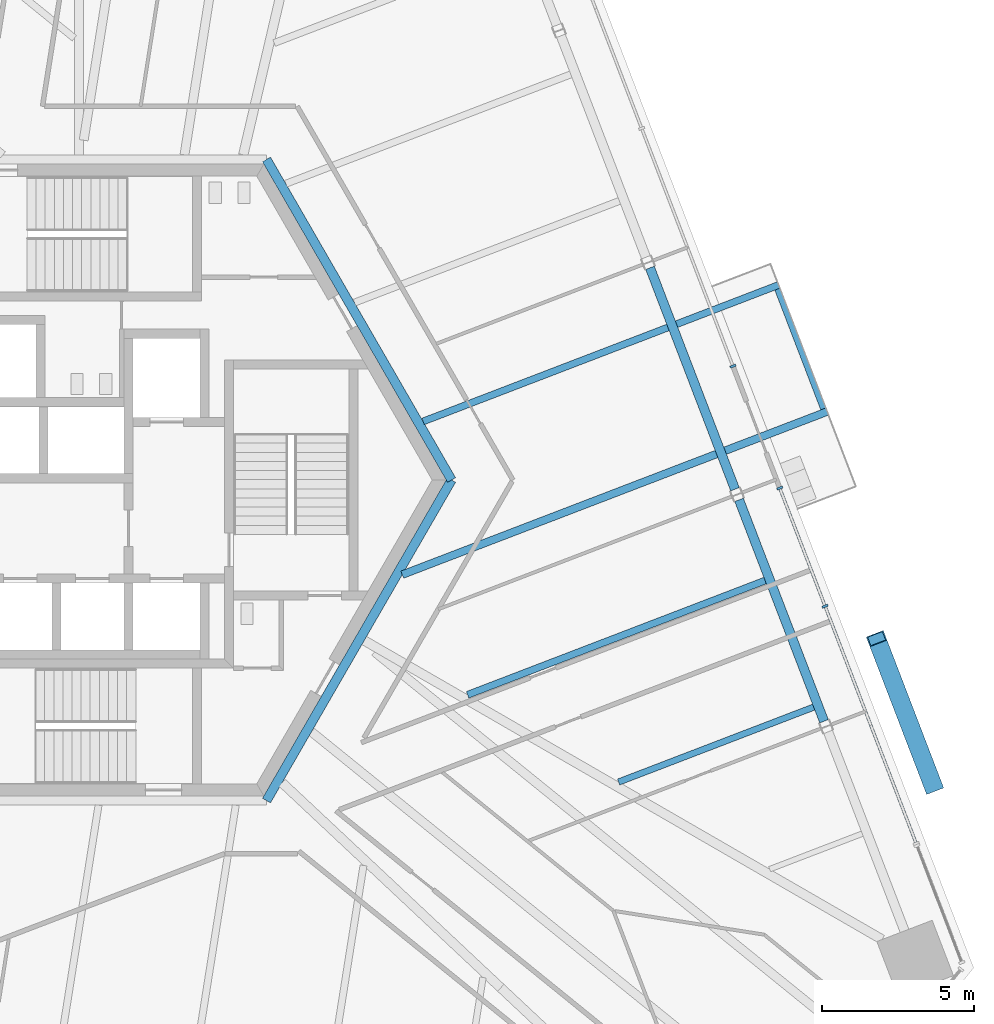
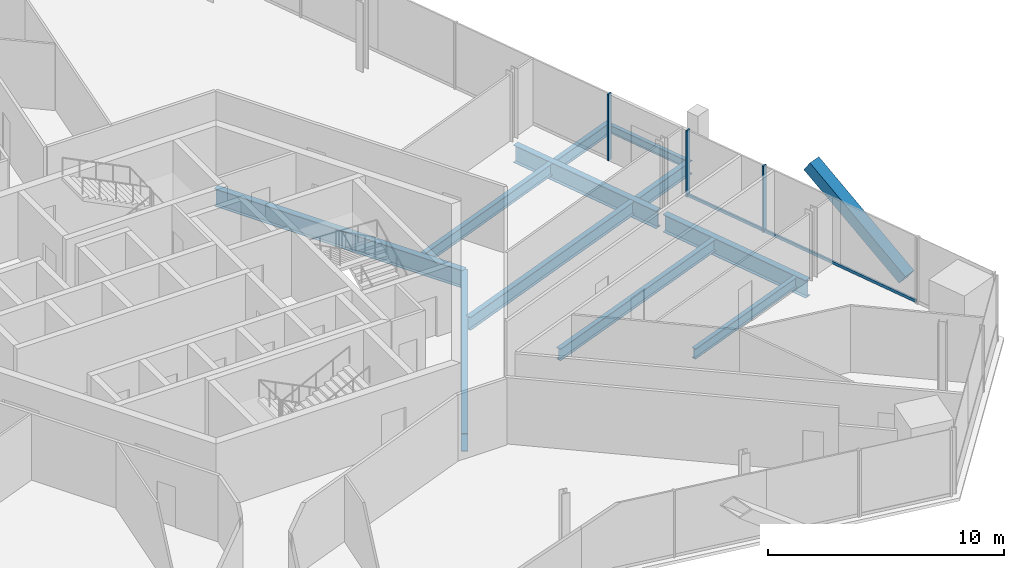
# One storey, part 7 of 19: 11 beams, 6 members, 2 elements without a shape of their own.
"""IFC4 building model written with IfcOpenShell, lengths in metres."""

from ifc_helpers import new_model, si_unit, direction, frame, origin, origin_2d, place, context, subcontext, project, spatial, rectangle, hollow_rectangle, i_section, extrude, source, transform, mapped, material, material_profile, profile_set, type_object, element, aggregate, save


model = new_model("IFC4")

# Units and contexts
model_context = context("Model", 3, precision=1e-05, world=origin(), true_north=direction((0.0, 1.0)))
body_context = subcontext(model_context, "Body", "Model", "MODEL_VIEW")
ifc_project = project(units=[si_unit("LENGTHUNIT", "METRE"), si_unit("AREAUNIT", "SQUARE_METRE"), si_unit("VOLUMEUNIT", "CUBIC_METRE"), si_unit("PLANEANGLEUNIT", "RADIAN"), si_unit("MASSUNIT", "GRAM", prefix="KILO")], contexts=[model_context])

# Site, building, storey
site_placement = place(None, origin())
site = spatial("IfcSite", under=ifc_project, at=site_placement, CompositionType="ELEMENT")
building_placement = place(site_placement, origin())
building = spatial("IfcBuilding", under=site, at=building_placement, Name="Triune Harvest Tower", CompositionType="ELEMENT")
storey_placement = place(building_placement, frame((0.0, 0.0, 142.5)))
storey = spatial("IfcBuildingStorey", under=building, at=storey_placement, Name="L36", CompositionType="ELEMENT", Elevation=142.5)

# Curtain wall, member
ifc_material_1 = material(Name="Aluminium bronze anodised", Category="aluminium")
curtain_wall_type = type_object("IfcCurtainWallType", Name="CW-10 Balcony window wall with insulated spandrel infill", PredefinedType="NOTDEFINED", material=ifc_material_1)
curtain_wall_1_placement = place(storey_placement, origin())
curtain_wall_1 = element("IfcCurtainWall", 1, at=curtain_wall_1_placement, inside=storey, type_object=curtain_wall_type, Name="CW-10 B4-F1 L36 run 1001")
ifc_material_2 = material(Name="Aluminium bronze anodised", Category="aluminium")
ifc_material_profile_1 = material_profile(ifc_material_2, rectangle(XDim=0.090087890625, YDim=0.14990234375, at=origin_2d()), Name="TR-6 transom 90 x 150")
ifc_profile_set_1 = profile_set([ifc_material_profile_1], Name="Aluminium bronze anodised")
member_type_1 = type_object("IfcMemberType", Name="TR-6 transom 90 x 150", PredefinedType="USERDEFINED", material=ifc_profile_set_1)
member_1_placement = place(storey_placement, frame((24.44921875, -4.114990234375, 0.074951171875), z_axis=(-0.358354441262, 0.933585611729, 0.0), x_axis=(-0.933585611729, -0.358354441262, 0.0)))
member_1 = element("IfcMember", 2, at=member_1_placement, type_object=member_type_1, Name="CW-10 transom B4-F1 1001.2", ObjectType="TRANSOM", PredefinedType="USERDEFINED", context=body_context, shape_type="SweptSolid", body=[
    extrude(rectangle(XDim=0.090087890625, YDim=0.14990234375, at=origin_2d()), origin(), (0.0, 0.0, 1.0), 4.08642578125),
])

# Beams
ifc_material_3 = material(Name="Steel ASTM A992 Gr 50", Category="steel")
ifc_material_profile_2 = material_profile(ifc_material_3, i_section(OverallWidth=0.3046875, OverallDepth=0.914306640625, WebThickness=0.0166015625, FlangeThickness=0.02587890625, at=origin_2d()), Name="W36x160")
ifc_profile_set_2 = profile_set([ifc_material_profile_2], Name="Steel ASTM A992 Gr 50")
beam_type_1 = type_object("IfcBeamType", Name="CG-1 Core ring girder W36x160", PredefinedType="BEAM", material=ifc_profile_set_2)
shared_shape_1 = source(origin(), body_context, "Body", "SweptSolid", [
    extrude(i_section(OverallWidth=0.3046875, OverallDepth=0.914306640625, WebThickness=0.0166015625, FlangeThickness=0.02587890625, at=origin_2d()), origin(), (0.0, 0.0, 1.0), 12.176025390625),
])
for number, where, z_axis, x_axis, name in (
    (3, (12.176025390625, 0.0, -0.6171875), (-0.5000099932, 0.866019634131, 0.0), (-0.866019634131, -0.5000099932, 0.0), "beam/L36/CG1"),
    (4, (6.087890625, -10.544677734375, -0.6171875), (0.5000099932, 0.866019634131, 0.0), (-0.866019634131, 0.5000099932, 0.0), "beam/L36/CG6"),
):
    element("IfcBeam", number, at=place(storey_placement, frame(where, z_axis=z_axis, x_axis=x_axis)), inside=storey, type_object=beam_type_1, Name=name, PredefinedType="BEAM", context=body_context, shape_type="MappedRepresentation", body=[
        mapped(shared_shape_1, transform((0.0, 0.0, 0.0), scale=1.0)),
    ])
ifc_material_4 = material(Name="Steel ASTM A992 Gr 50", Category="steel")
ifc_material_profile_3 = material_profile(ifc_material_4, i_section(OverallWidth=0.3046875, OverallDepth=0.914306640625, WebThickness=0.0166015625, FlangeThickness=0.02587890625, at=origin_2d()), Name="W36x160")
ifc_profile_set_3 = profile_set([ifc_material_profile_3], Name="Steel ASTM A992 Gr 50")
beam_type_2 = type_object("IfcBeamType", Name="SB-1 Spandrel beam W36x160", PredefinedType="SPANDREL", material=ifc_profile_set_3)
shared_shape_2 = source(origin(), body_context, "Body", "SweptSolid", [
    extrude(i_section(OverallWidth=0.3046875, OverallDepth=0.914306640625, WebThickness=0.0166015625, FlangeThickness=0.02587890625, at=origin_2d()), origin(), (0.0, 0.0, 1.0), 7.8017578125),
])
for number, where, z_axis, x_axis, name in (
    (5, (24.428466796875, -7.93603515625, -0.6171875), (-0.358372974677, 0.933578497514, 0.0), (-0.933578497514, -0.358372974677, 0.0), "beam/L36/SB2"),
    (6, (21.498779296875, -0.303955078125, -0.6171875), (-0.358372974677, 0.933578497514, 0.0), (-0.933578497514, -0.358372974677, 0.0), "beam/L36/SB3"),
):
    element("IfcBeam", number, at=place(storey_placement, frame(where, z_axis=z_axis, x_axis=x_axis)), inside=storey, type_object=beam_type_2, Name=name, PredefinedType="SPANDREL", context=body_context, shape_type="MappedRepresentation", body=[
        mapped(shared_shape_2, transform((0.0, 0.0, 0.0), scale=1.0)),
    ])
ifc_material_5 = material(Name="Steel ASTM A992 Gr 50", Category="steel")
ifc_material_profile_4 = material_profile(ifc_material_5, i_section(OverallWidth=0.2099609375, OverallDepth=0.535888671875, WebThickness=0.010986328125, FlangeThickness=0.017333984375, at=origin_2d()), Name="W21x68")
ifc_profile_set_4 = profile_set([ifc_material_profile_4], Name="Steel ASTM A992 Gr 50")
beam_type_3 = type_object("IfcBeamType", Name="JT-2 Floor joist W21x68", PredefinedType="JOIST", material=ifc_profile_set_4)
shared_shape_3 = source(origin(), body_context, "Body", "SweptSolid", [
    extrude(i_section(OverallWidth=0.2099609375, OverallDepth=0.535888671875, WebThickness=0.010986328125, FlangeThickness=0.017333984375, at=origin_2d()), origin(), (0.0, 0.0, 1.0), 6.871826171875),
])
beam_1_placement = place(storey_placement, frame((24.086669921875, -7.47119140625, -0.427978515625), z_axis=(-0.933577992689, -0.358374289769, 0.0), x_axis=(0.358374289769, -0.933577992689, 0.0)))
element("IfcBeam", 7, at=beam_1_placement, inside=storey, type_object=beam_type_3, Name="beam/L36/JT2", PredefinedType="JOIST", context=body_context, shape_type="MappedRepresentation", body=[
    mapped(shared_shape_3, transform((0.0, 0.0, 0.0), scale=1.0)),
])
ifc_material_6 = material(Name="Steel ASTM A992 Gr 50", Category="steel")
ifc_material_profile_5 = material_profile(ifc_material_6, i_section(OverallWidth=0.22900390625, OverallDepth=0.612060546875, WebThickness=0.011962890625, FlangeThickness=0.01953125, at=origin_2d()), Name="W24x84")
ifc_profile_set_5 = profile_set([ifc_material_profile_5], Name="Steel ASTM A992 Gr 50")
beam_type_4 = type_object("IfcBeamType", Name="JT-3 Floor joist W24x84", PredefinedType="JOIST", material=ifc_profile_set_5)
shared_shape_4 = source(origin(), body_context, "Body", "SweptSolid", [
    extrude(i_section(OverallWidth=0.22900390625, OverallDepth=0.612060546875, WebThickness=0.011962890625, FlangeThickness=0.01953125, at=origin_2d()), origin(), (0.0, 0.0, 1.0), 10.482666015625),
])
beam_2_placement = place(storey_placement, frame((22.48876953125, -3.30810546875, -0.466064453125), z_axis=(-0.933574113636, -0.358384394677, 0.0), x_axis=(0.358384394677, -0.933574113636, 0.0)))
element("IfcBeam", 8, at=beam_2_placement, inside=storey, type_object=beam_type_4, Name="beam/L36/JT3", PredefinedType="JOIST", context=body_context, shape_type="MappedRepresentation", body=[
    mapped(shared_shape_4, transform((0.0, 0.0, 0.0), scale=1.0)),
])
ifc_material_7 = material(Name="Steel ASTM A992 Gr 50", Category="steel")
ifc_material_profile_6 = material_profile(ifc_material_7, i_section(OverallWidth=0.253662109375, OverallDepth=0.683349609375, WebThickness=0.012451171875, FlangeThickness=0.01904296875, at=origin_2d()), Name="W27x94")
ifc_profile_set_6 = profile_set([ifc_material_profile_6], Name="Steel ASTM A992 Gr 50")
beam_type_5 = type_object("IfcBeamType", Name="JT-4 Floor joist W27x94", PredefinedType="JOIST", material=ifc_profile_set_6)
shared_shape_5 = source(origin(), body_context, "Body", "SweptSolid", [
    extrude(i_section(OverallWidth=0.253662109375, OverallDepth=0.683349609375, WebThickness=0.012451171875, FlangeThickness=0.01904296875, at=origin_2d()), origin(), (0.0, 0.0, 1.0), 11.071533203125),
])
beam_3_placement = place(storey_placement, frame((20.890869140625, 0.854736328125, -0.501708984375), z_axis=(-0.933585234032, -0.358355425237, 0.0), x_axis=(0.358355425237, -0.933585234032, 0.0)))
element("IfcBeam", 9, at=beam_3_placement, inside=storey, type_object=beam_type_5, Name="beam/L36/JT4", PredefinedType="JOIST", context=body_context, shape_type="MappedRepresentation", body=[
    mapped(shared_shape_5, transform((0.0, 0.0, 0.0), scale=1.0)),
])
shared_shape_6 = source(origin(), body_context, "Body", "SweptSolid", [
    extrude(i_section(OverallWidth=0.22900390625, OverallDepth=0.612060546875, WebThickness=0.011962890625, FlangeThickness=0.01953125, at=origin_2d()), origin(), (0.0, 0.0, 1.0), 8.625732421875),
])
beam_4_placement = place(storey_placement, frame((19.292724609375, 5.017578125, -0.466064453125), z_axis=(-0.933587577512, -0.35834931996, 0.0), x_axis=(0.35834931996, -0.933587577512, 0.0)))
element("IfcBeam", 10, at=beam_4_placement, inside=storey, type_object=beam_type_4, Name="beam/L36/JT5", PredefinedType="JOIST", context=body_context, shape_type="MappedRepresentation", body=[
    mapped(shared_shape_6, transform((0.0, 0.0, 0.0), scale=1.0)),
])

# Member
ifc_material_8 = material(Name="Steel ASTM A572 Gr 50", Category="steel")
ifc_material_profile_7 = material_profile(ifc_material_8, hollow_rectangle(XDim=0.60009765625, YDim=0.60009765625, WallThickness=0.0400390625, at=origin_2d()), Name="Box 600x600x40")
ifc_profile_set_7 = profile_set([ifc_material_profile_7], Name="Steel ASTM A572 Gr 50")
member_type_2 = type_object("IfcMemberType", Name="BR-2 Brace Box 600x600x40", PredefinedType="BRACE", material=ifc_profile_set_7)
shared_shape_7 = source(origin(), body_context, "Body", "SweptSolid", [
    extrude(hollow_rectangle(XDim=0.60009765625, YDim=0.60009765625, WallThickness=0.0400390625, at=origin_2d()), origin(), (0.0, 0.0, 1.0), 6.3291015625),
])
member_2_placement = place(storey_placement, frame((28.02294921875, -10.076416015625, 0.0), z_axis=(-0.294740818173, 0.767845926784, 0.568806190915), x_axis=(-0.933583525139, -0.358359877202, 0.0)))
element("IfcMember", 11, at=member_2_placement, inside=storey, type_object=member_type_2, Name="brace/B4-F1/d1/2", PredefinedType="BRACE", context=body_context, shape_type="MappedRepresentation", body=[
    mapped(shared_shape_7, transform((0.0, 0.0, 0.0), scale=1.0)),
])

ifc_material_9 = material(Name="Aluminium bronze anodised", Category="aluminium")
ifc_material_profile_8 = material_profile(ifc_material_9, rectangle(XDim=0.199951171875, YDim=0.074951171875, at=origin_2d()), Name="MU-6 mullion 75 x 200")
ifc_profile_set_8 = profile_set([ifc_material_profile_8], Name="Aluminium bronze anodised")
member_type_3 = type_object("IfcMemberType", Name="MU-6 mullion 75 x 200", PredefinedType="MULLION", material=ifc_profile_set_8)
shared_shape_8 = source(origin(), body_context, "Body", "SweptSolid", [
    extrude(rectangle(XDim=0.199951171875, YDim=0.074951171875, at=origin_2d()), origin(), (0.0, 0.0, 1.0), 3.43994140625),
])
member_3_placement = place(storey_placement, frame((24.462646484375, -4.14990234375, 0.0), z_axis=(0.0, 0.0, 1.0), x_axis=(-0.933579352129, -0.358370748357, 0.0)))
member_3 = element("IfcMember", 12, at=member_3_placement, type_object=member_type_3, Name="CW-10 mullion B4-F1 1001.3", PredefinedType="MULLION", context=body_context, shape_type="MappedRepresentation", body=[
    mapped(shared_shape_8, transform((0.0, 0.0, 0.0), scale=1.0)),
])

member_4_placement = place(storey_placement, frame((22.971435546875, -0.26513671875, 0.0), z_axis=(0.0, 0.0, 1.0), x_axis=(-0.933579352129, -0.358370748357, 0.0)))
member_4 = element("IfcMember", 13, at=member_4_placement, type_object=member_type_3, Name="CW-10 mullion B4-F1 1001.4", PredefinedType="MULLION", context=body_context, shape_type="MappedRepresentation", body=[
    mapped(shared_shape_8, transform((0.0, 0.0, 0.0), scale=1.0)),
])

# Curtain wall, member
curtain_wall_2_placement = place(storey_placement, origin())
curtain_wall_2 = element("IfcCurtainWall", 14, at=curtain_wall_2_placement, inside=storey, type_object=curtain_wall_type, Name="CW-10 B4-F1 L36 run 2")
member_5_placement = place(storey_placement, frame((21.431884765625, 3.74560546875, 0.0), z_axis=(0.0, 0.0, 1.0), x_axis=(-0.933580235122, -0.358368448094, 0.0)))
member_5 = element("IfcMember", 15, at=member_5_placement, type_object=member_type_3, Name="CW-10 mullion B4-F1 2.1", PredefinedType="MULLION", context=body_context, shape_type="MappedRepresentation", body=[
    mapped(shared_shape_8, transform((0.0, 0.0, 0.0), scale=1.0)),
])
aggregate(curtain_wall_2, [member_5])

# Beams
ifc_material_10 = material(Name="Steel ASTM A992 Gr 50", Category="steel")
ifc_material_profile_9 = material_profile(ifc_material_10, i_section(OverallWidth=0.253662109375, OverallDepth=0.683349609375, WebThickness=0.012451171875, FlangeThickness=0.01904296875, at=origin_2d()), Name="W27x94")
ifc_profile_set_9 = profile_set([ifc_material_profile_9], Name="Steel ASTM A992 Gr 50")
beam_type_6 = type_object("IfcBeamType", Name="BJ-4 Balcony cantilever joist W27x94", PredefinedType="JOIST", material=ifc_profile_set_9)
shared_shape_9 = source(origin(), body_context, "Body", "SweptSolid", [
    extrude(i_section(OverallWidth=0.253662109375, OverallDepth=0.683349609375, WebThickness=0.012451171875, FlangeThickness=0.01904296875, at=origin_2d()), origin(), (0.0, 0.0, 1.0), 3.59765625),
])
beam_5_placement = place(storey_placement, frame((21.17529296875, 0.9638671875, -0.501708984375), z_axis=(0.933576283592, 0.358378741997, 0.0), x_axis=(-0.358378741997, 0.933576283592, 0.0)))
element("IfcBeam", 16, at=beam_5_placement, inside=storey, type_object=beam_type_6, Name="Balcony cantilever joist B4-F1 L36.5a", PredefinedType="JOIST", context=body_context, shape_type="MappedRepresentation", body=[
    mapped(shared_shape_9, transform((0.0, 0.0, 0.0), scale=1.0)),
])
ifc_material_11 = material(Name="Steel ASTM A992 Gr 50", Category="steel")
ifc_material_profile_10 = material_profile(ifc_material_11, i_section(OverallWidth=0.22900390625, OverallDepth=0.612060546875, WebThickness=0.011962890625, FlangeThickness=0.01953125, at=origin_2d()), Name="W24x84")
ifc_profile_set_10 = profile_set([ifc_material_profile_10], Name="Steel ASTM A992 Gr 50")
beam_type_7 = type_object("IfcBeamType", Name="BJ-3 Balcony cantilever joist W24x84", PredefinedType="JOIST", material=ifc_profile_set_10)
shared_shape_10 = source(origin(), body_context, "Body", "SweptSolid", [
    extrude(i_section(OverallWidth=0.22900390625, OverallDepth=0.612060546875, WebThickness=0.011962890625, FlangeThickness=0.01953125, at=origin_2d()), origin(), (0.0, 0.0, 1.0), 3.59765625),
])
beam_6_placement = place(storey_placement, frame((19.577392578125, 5.126708984375, -0.466064453125), z_axis=(0.933576283592, 0.358378741997, 0.0), x_axis=(-0.358378741997, 0.933576283592, 0.0)))
element("IfcBeam", 17, at=beam_6_placement, inside=storey, type_object=beam_type_7, Name="Balcony cantilever joist B4-F1 L36.5b", PredefinedType="JOIST", context=body_context, shape_type="MappedRepresentation", body=[
    mapped(shared_shape_10, transform((0.0, 0.0, 0.0), scale=1.0)),
])

# Member
shared_shape_11 = source(origin(), body_context, "Body", "SweptSolid", [
    extrude(rectangle(XDim=0.090087890625, YDim=0.14990234375, at=origin_2d()), origin(), (0.0, 0.0, 1.0), 8.284912109375),
])
member_6_placement = place(storey_placement, frame((27.445068359375, -11.91943359375, 0.074951171875), z_axis=(-0.358362902852, 0.933582363725, 0.0), x_axis=(-0.933582363725, -0.358362902852, 0.0)))
member_6 = element("IfcMember", 18, at=member_6_placement, type_object=member_type_1, Name="CW-10 transom B4-F1 1001.1", ObjectType="TRANSOM", PredefinedType="USERDEFINED", context=body_context, shape_type="MappedRepresentation", body=[
    mapped(shared_shape_11, transform((0.0, 0.0, 0.0), scale=1.0)),
])

aggregate(curtain_wall_1, [member_3, member_4, member_6, member_1])

# Beam
ifc_material_12 = material(Name="Steel ASTM A992 Gr 50", Category="steel")
ifc_material_profile_11 = material_profile(ifc_material_12, i_section(OverallWidth=0.180908203125, OverallDepth=0.41650390625, WebThickness=0.010986328125, FlangeThickness=0.01806640625, at=origin_2d()), Name="W16x57")
ifc_profile_set_11 = profile_set([ifc_material_profile_11], Name="Steel ASTM A992 Gr 50")
beam_type_8 = type_object("IfcBeamType", Name="BE-1 balcony edge beam W16x57", PredefinedType="BEAM", material=ifc_profile_set_11)
shared_shape_12 = source(origin(), body_context, "Body", "SweptSolid", [
    extrude(i_section(OverallWidth=0.180908203125, OverallDepth=0.41650390625, WebThickness=0.010986328125, FlangeThickness=0.01806640625, at=origin_2d()), origin(), (0.0, 0.0, 1.0), 4.217529296875),
])
beam_7_placement = place(storey_placement, frame((22.892578125, 6.276611328125, -0.368408203125), z_axis=(0.358370010134, -0.933579635509, 0.0), x_axis=(0.933579635509, 0.358370010134, 0.0)))
element("IfcBeam", 19, at=beam_7_placement, inside=storey, type_object=beam_type_8, Name="Balcony edge beam B4-F1 L36.5", PredefinedType="BEAM", context=body_context, shape_type="MappedRepresentation", body=[
    mapped(shared_shape_12, transform((0.0, 0.0, 0.0), scale=1.0)),
])

save(model, "model.ifc")
